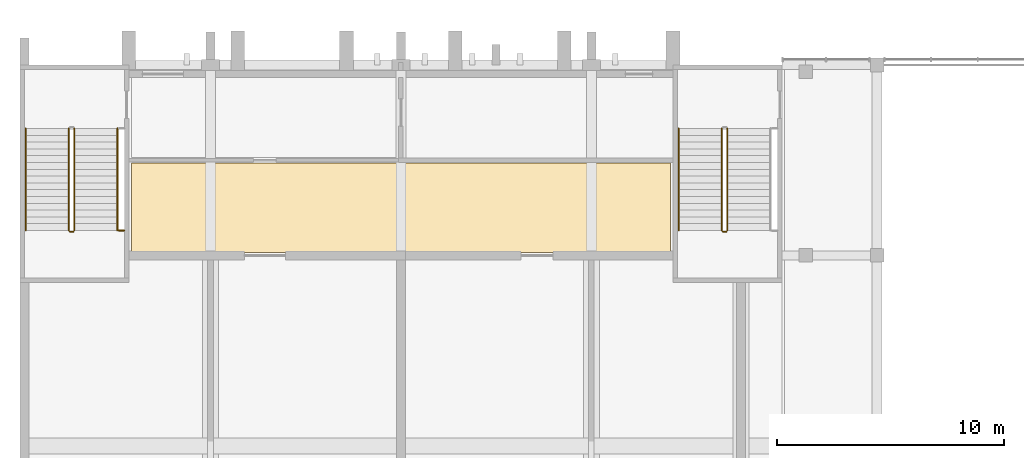
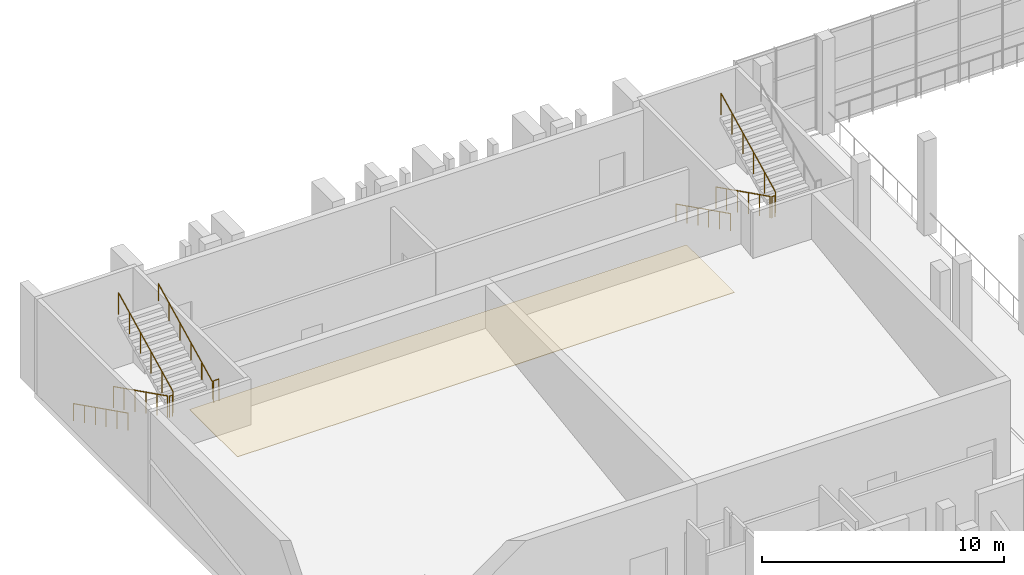
# One storey, part 73 of 86: 10 railings, 1 covering.
"""IFC4 building model written with IfcOpenShell, lengths in metres."""

import ifcopenshell
import ifcopenshell.guid

model = None  # the IFC model being written
_history = None  # IfcOwnerHistory: only IFC2X3 demands one
_inside = {}  # id of a spatial element -> (the spatial element, [elements in it])
_under = {}  # id of a project, library or spatial element -> (it, [spatial elements below it])
_declared = {}  # id of a project -> (the project, [libraries it declares])
_typed = {}  # id of a type object -> (the type object, [elements of that type])
_made_of = {}  # id of a material, layer set ... -> (it, [elements and type objects made of it])


def new_model(schema):
    """Start an empty IFC model of exactly this schema.

    Asked for "IFC4X3", IfcOpenShell would pick the latest addendum, in which some entities
    have other attributes; the version numbers below select the first issue.
    IFC2X3 requires an IfcOwnerHistory on every rooted entity: one is made here for all.
    """
    global model, _history
    if schema == "IFC4X3":
        model = ifcopenshell.file(schema_version=(4, 3, 0, 0))
    else:
        model = ifcopenshell.file(schema=schema)
    _inside.clear()
    _under.clear()
    _declared.clear()
    _typed.clear()
    _made_of.clear()
    _history = None
    if model.schema == "IFC2X3":
        org = make("IfcOrganization", Name="unknown")
        user = make(
            "IfcPersonAndOrganization",
            ThePerson=make("IfcPerson", FamilyName="unknown"),
            TheOrganization=org,
        )
        app = make(
            "IfcApplication",
            ApplicationDeveloper=org,
            Version="unknown",
            ApplicationFullName="unknown",
            ApplicationIdentifier="unknown",
        )
        _history = make(
            "IfcOwnerHistory",
            OwningUser=user,
            OwningApplication=app,
            ChangeAction="ADDED",
            CreationDate=0,
        )
    return model


def make(cls, **values):
    """One entity of the class cls with the attributes given. An attribute that is None is left unset."""
    return model.create_entity(
        cls, **{name: value for name, value in values.items() if value is not None}
    )


def rooted(cls, **values):
    """An entity with a GlobalId (a new one), such as an element, a storey or a relation."""
    return make(cls, GlobalId=ifcopenshell.guid.new(), OwnerHistory=_history, **values)


def si_unit(unit_type, name, prefix=None):
    """IfcSIUnit, for example si_unit("LENGTHUNIT", "METRE", prefix="MILLI")."""
    return make("IfcSIUnit", UnitType=unit_type, Prefix=prefix, Name=name)


def assignment(units):
    """IfcUnitAssignment: the units of a project."""
    return None if units is None else make("IfcUnitAssignment", Units=units)


def point(xyz):
    """IfcCartesianPoint."""
    return None if xyz is None else make("IfcCartesianPoint", Coordinates=xyz)


def direction(xyz):
    """IfcDirection."""
    return None if xyz is None else make("IfcDirection", DirectionRatios=xyz)


def frame(location, z_axis=None, x_axis=None):
    """IfcAxis2Placement3D, a coordinate frame: its origin and axes. An axis left out is left unset."""
    return make(
        "IfcAxis2Placement3D",
        Location=point(location),
        Axis=direction(z_axis),
        RefDirection=direction(x_axis),
    )


def frame_2d(location, x_axis=None):
    """IfcAxis2Placement2D, a coordinate frame in the plane: its origin and x axis."""
    return make(
        "IfcAxis2Placement2D", Location=point(location), RefDirection=direction(x_axis)
    )


def origin():
    """The frame at (0, 0, 0) with its axes left unset."""
    return frame((0.0, 0.0, 0.0))


def origin_2d():
    """The frame at (0, 0) in the plane with its x axis left unset."""
    return frame_2d((0.0, 0.0))


def place(relative_to, where):
    """IfcLocalPlacement: puts the frame where relative to a parent placement (None: the world)."""
    return make(
        "IfcLocalPlacement", PlacementRelTo=relative_to, RelativePlacement=where
    )


def context(
    kind, dimensions, precision=None, world=None, true_north=None, identifier=None
):
    """IfcGeometricRepresentationContext, for example the 3D "Model" context."""
    return make(
        "IfcGeometricRepresentationContext",
        ContextIdentifier=identifier,
        ContextType=kind,
        CoordinateSpaceDimension=dimensions,
        Precision=precision,
        WorldCoordinateSystem=world,
        TrueNorth=true_north,
    )


def subcontext(parent, identifier, kind, view, scale=None):
    """IfcGeometricRepresentationSubContext, for example "Body" below "Model"."""
    return make(
        "IfcGeometricRepresentationSubContext",
        ContextIdentifier=identifier,
        ContextType=kind,
        ParentContext=parent,
        TargetScale=scale,
        TargetView=view,
    )


def project(units=None, contexts=None):
    """IfcProject with its units and contexts."""
    return rooted(
        "IfcProject",
        Name="project",
        RepresentationContexts=contexts,
        UnitsInContext=assignment(units),
    )


def spatial(cls, under=None, at=None, **own):
    """A site, building, storey or space (cls), placed at a placement, below another one or the project."""
    s = rooted(cls, ObjectPlacement=at, **own)
    if under is not None:
        _under.setdefault(under.id(), (under, []))[1].append(s)
    return s


def polyline(points):
    """IfcPolyline through the points."""
    return make("IfcPolyline", Points=[point(p) for p in points])


def profile(cls, at=None, kind="AREA", **sizes):
    """A parametric profile (cls). Its sizes go by their IFC names, for example OverallWidth=200.0."""
    return make(cls, ProfileType=kind, Position=at, **sizes)


def circle(**sizes):
    """IfcCircleProfileDef."""
    return profile("IfcCircleProfileDef", **sizes)


def outline(outer, holes=None, kind="AREA"):
    """IfcArbitraryClosedProfileDef: a profile drawn as a closed curve; with holes, ...WithVoids."""
    if holes is None:
        return make("IfcArbitraryClosedProfileDef", ProfileType=kind, OuterCurve=outer)
    return make(
        "IfcArbitraryProfileDefWithVoids",
        ProfileType=kind,
        OuterCurve=outer,
        InnerCurves=holes,
    )


def extrude(swept, where, along, depth):
    """IfcExtrudedAreaSolid: the profile swept, set in the frame where, extruded along a direction by depth."""
    return make(
        "IfcExtrudedAreaSolid",
        SweptArea=swept,
        Position=where,
        ExtrudedDirection=direction(along),
        Depth=depth,
    )


def shape(context_of_items, identifier, shape_type, items):
    """IfcShapeRepresentation: the items that make up one representation, for example the "Body"."""
    return make(
        "IfcShapeRepresentation",
        ContextOfItems=context_of_items,
        RepresentationIdentifier=identifier,
        RepresentationType=shape_type,
        Items=items,
    )


def material(Name=None, Category=None):
    """IfcMaterial."""
    return make("IfcMaterial", Name=Name, Category=Category)


def layer(
    of_material, thickness, ventilated=None, Name=None, Category=None, Priority=None
):
    """IfcMaterialLayer: one layer of a wall or slab, of a material (None: an air gap)."""
    return make(
        "IfcMaterialLayer",
        Material=of_material,
        LayerThickness=thickness,
        IsVentilated=ventilated,
        Name=Name,
        Category=Category,
        Priority=Priority,
    )


def layer_set(layers, Name=None):
    """IfcMaterialLayerSet."""
    return make("IfcMaterialLayerSet", MaterialLayers=layers, LayerSetName=Name)


def made_of(thing, what):
    """Note that an element or type object is made of a material, layer set ...; save() writes the relation."""
    if what is not None:
        _made_of.setdefault(what.id(), (what, []))[1].append(thing)
    return thing


def type_object(cls, material=None, **own):
    """A type object (cls), such as IfcWallType, which elements share."""
    return made_of(rooted(cls, **own), material)


def element(
    cls,
    number,
    at=None,
    inside=None,
    cuts=None,
    type_object=None,
    material=None,
    context=None,
    identifier="Body",
    shape_type=None,
    held_by="IfcProductDefinitionShape",
    body=None,
    shapes=None,
    **own,
):
    """One element of the class cls, such as IfcWall. Its Tag is "e" and its number.

    at: its placement. inside: the storey or other place that contains it. cuts: it is an
    opening in that element (IfcRelVoidsElement). A single representation is given by context,
    identifier, shape_type and body (its items); several are given by shapes. held_by: the class
    of the entity that holds the representations. save() writes the other relations.
    """
    e = rooted(cls, Tag="e%d" % number, ObjectPlacement=at, **own)
    if body is not None:
        shapes = [shape(context, identifier, shape_type, body)]
    if shapes is not None:
        e.Representation = make(held_by, Representations=shapes)
    if inside is not None:
        _inside.setdefault(inside.id(), (inside, []))[1].append(e)
    if cuts is not None:
        rooted(
            "IfcRelVoidsElement", RelatingBuildingElement=cuts, RelatedOpeningElement=e
        )
    if type_object is not None:
        _typed.setdefault(type_object.id(), (type_object, []))[1].append(e)
    return made_of(e, material)


def aggregate(whole, parts):
    """IfcRelAggregates: a whole, such as a stair, and the parts it consists of."""
    return rooted("IfcRelAggregates", RelatingObject=whole, RelatedObjects=parts)


def save(model, path):
    """Write the relations noted so far, then the file.

    IfcRelAggregates (storeys below a building ...), IfcRelContainedInSpatialStructure (elements
    in a storey), IfcRelDefinesByType, IfcRelAssociatesMaterial and IfcRelDeclares: one each for
    every whole, place, type object, material and project.
    """
    for whole, parts in _under.values():
        aggregate(whole, parts)
    for where, things in _inside.values():
        rooted(
            "IfcRelContainedInSpatialStructure",
            RelatedElements=things,
            RelatingStructure=where,
        )
    for kind, things in _typed.values():
        rooted("IfcRelDefinesByType", RelatedObjects=things, RelatingType=kind)
    for what, things in _made_of.values():
        rooted("IfcRelAssociatesMaterial", RelatedObjects=things, RelatingMaterial=what)
    for by, libraries in _declared.values():
        rooted("IfcRelDeclares", RelatingContext=by, RelatedDefinitions=libraries)
    model.write(path)


model = new_model("IFC4")

# Units and contexts
model_context = context("Model", 3, precision=1e-05, world=origin(), true_north=direction((0.0, 1.0)))
body_context = subcontext(model_context, "Body", "Model", "MODEL_VIEW")
ifc_project = project(units=[si_unit("LENGTHUNIT", "METRE"), si_unit("AREAUNIT", "SQUARE_METRE"), si_unit("VOLUMEUNIT", "CUBIC_METRE"), si_unit("PLANEANGLEUNIT", "RADIAN"), si_unit("MASSUNIT", "GRAM", prefix="KILO")], contexts=[model_context])

# Site, building, storey
site_placement = place(None, origin())
site = spatial("IfcSite", under=ifc_project, at=site_placement, CompositionType="ELEMENT")
building_placement = place(site_placement, origin())
building = spatial("IfcBuilding", under=site, at=building_placement, Name="Kiln Court Media Centre", CompositionType="ELEMENT")
storey_placement = place(building_placement, frame((0.0, 0.0, 10.199951171875)))
storey = spatial("IfcBuildingStorey", under=building, at=storey_placement, Name="L02", CompositionType="ELEMENT", Elevation=10.199951171875)

# Covering
ifc_material_1 = material(Name="Terrazzo")
ifc_layer = layer(ifc_material_1, 0.02490234375)
ifc_layer_set = layer_set([ifc_layer], Name="Polished terrazzo floor finish 25")
covering_type = type_object("IfcCoveringType", Name="Polished terrazzo floor finish 25", PredefinedType="FLOORING", material=ifc_layer_set)
covering_placement = place(storey_placement, origin())
element("IfcCovering", 1, at=covering_placement, inside=storey, type_object=covering_type, Name="Rear Exit Lobby floor finish", PredefinedType="FLOORING", context=body_context, shape_type="SweptSolid", body=[
    extrude(outline(polyline([(4.919921875, 58.919921875), (28.679931640625, 58.919921875), (28.679931640625, 62.8798828125), (4.919921875, 62.8798828125), (4.919921875, 58.919921875)])), origin(), (0.0, 0.0, 1.0), 0.025146484375),
])

# Railings
ifc_material_2 = material(Name="Steel S275", Category="steel")
railing_type_1 = type_object("IfcRailingType", Name="Steel S275 stair guard 1100", PredefinedType="GUARDRAIL", material=ifc_material_2)
railing_1_placement = place(storey_placement, frame((2.14990234375, 64.39990234375, 0.150146484375)))
element("IfcRailing", 2, at=railing_1_placement, inside=storey, type_object=railing_type_1, Name="ST-07 stair guard", PredefinedType="GUARDRAIL", context=body_context, shape_type="SweptSolid", body=[
    extrude(circle(Radius=0.02392578125, at=origin_2d()), frame((0.0, 0.0, 1.076171875), z_axis=(0.0, -0.894427191, 0.4472135955), x_axis=(1.0, 0.0, 0.0)), (0.0, 0.0, 1.0), 5.03125),
    extrude(circle(Radius=0.02099609375, at=origin_2d()), origin(), (0.0, 0.0, 1.0), 1.052001953125),
    extrude(circle(Radius=0.02099609375, at=origin_2d()), frame((0.0, -0.89990234375, 0.449951171875)), (0.0, 0.0, 1.0), 1.052001953125),
    extrude(circle(Radius=0.02099609375, at=origin_2d()), frame((0.0, -1.800048828125, 0.89990234375)), (0.0, 0.0, 1.0), 1.052001953125),
    extrude(circle(Radius=0.02099609375, at=origin_2d()), frame((0.0, -2.699951171875, 1.35009765625)), (0.0, 0.0, 1.0), 1.052001953125),
    extrude(circle(Radius=0.02099609375, at=origin_2d()), frame((0.0, -3.60009765625, 1.800048828125)), (0.0, 0.0, 1.0), 1.052001953125),
    extrude(circle(Radius=0.02099609375, at=origin_2d()), frame((0.0, -4.5, 2.25)), (0.0, 0.0, 1.0), 1.052001953125),
])
railing_2_placement = place(storey_placement, frame((2.199951171875, 59.85009765625, 2.400146484375)))
element("IfcRailing", 3, at=railing_2_placement, inside=storey, type_object=railing_type_1, Name="ST-07 stair guard", PredefinedType="GUARDRAIL", context=body_context, shape_type="SweptSolid", body=[
    extrude(circle(Radius=0.02392578125, at=origin_2d()), frame((0.0, 0.0, 1.076171875), z_axis=(1.0, 0.0, 0.0), x_axis=(0.0, 1.0, 0.0)), (0.0, 0.0, 1.0), 0.150146484375),
    extrude(circle(Radius=0.02099609375, at=origin_2d()), origin(), (0.0, 0.0, 1.0), 1.052001953125),
    extrude(circle(Radius=0.02099609375, at=origin_2d()), frame((0.150146484375, 0.0, 0.0)), (0.0, 0.0, 1.0), 1.052001953125),
])
railing_3_placement = place(storey_placement, frame((2.39990234375, 59.89990234375, 2.550048828125)))
element("IfcRailing", 4, at=railing_3_placement, inside=storey, type_object=railing_type_1, Name="ST-07 stair guard", PredefinedType="GUARDRAIL", context=body_context, shape_type="SweptSolid", body=[
    extrude(circle(Radius=0.02392578125, at=origin_2d()), frame((0.0, 0.0, 1.076171875), z_axis=(0.0, 0.894427191, 0.4472135955), x_axis=(-1.0, 0.0, 0.0)), (0.0, 0.0, 1.0), 5.03125),
    extrude(circle(Radius=0.02099609375, at=origin_2d()), origin(), (0.0, 0.0, 1.0), 1.052001953125),
    extrude(circle(Radius=0.02099609375, at=origin_2d()), frame((0.0, 0.89990234375, 0.449951171875)), (0.0, 0.0, 1.0), 1.052001953125),
    extrude(circle(Radius=0.02099609375, at=origin_2d()), frame((0.0, 1.800048828125, 0.89990234375)), (0.0, 0.0, 1.0), 1.052001953125),
    extrude(circle(Radius=0.02099609375, at=origin_2d()), frame((0.0, 2.699951171875, 1.35009765625)), (0.0, 0.0, 1.0), 1.052001953125),
    extrude(circle(Radius=0.02099609375, at=origin_2d()), frame((0.0, 3.60009765625, 1.800048828125)), (0.0, 0.0, 1.0), 1.052001953125),
    extrude(circle(Radius=0.02099609375, at=origin_2d()), frame((0.0, 4.5, 2.25)), (0.0, 0.0, 1.0), 1.052001953125),
])
railing_4_placement = place(storey_placement, frame((4.35009765625, 59.89990234375, 2.400146484375)))
element("IfcRailing", 5, at=railing_4_placement, inside=storey, type_object=railing_type_1, Name="ST-07 landing edge guard", PredefinedType="GUARDRAIL", context=body_context, shape_type="SweptSolid", body=[
    extrude(circle(Radius=0.02392578125, at=origin_2d()), frame((0.0, 0.0, 1.076171875), z_axis=(1.0, 0.0, 0.0), x_axis=(0.0, 1.0, 0.0)), (0.0, 0.0, 1.0), 0.25),
    extrude(circle(Radius=0.02099609375, at=origin_2d()), origin(), (0.0, 0.0, 1.0), 1.052001953125),
    extrude(circle(Radius=0.02099609375, at=origin_2d()), frame((0.25, 0.0, 0.0)), (0.0, 0.0, 1.0), 1.052001953125),
])
railing_5_placement = place(storey_placement, frame((30.949951171875, 64.39990234375, 0.150146484375)))
element("IfcRailing", 6, at=railing_5_placement, inside=storey, type_object=railing_type_1, Name="ST-08 stair guard", PredefinedType="GUARDRAIL", context=body_context, shape_type="SweptSolid", body=[
    extrude(circle(Radius=0.02392578125, at=origin_2d()), frame((0.0, 0.0, 1.076171875), z_axis=(0.0, -0.894427191, 0.4472135955), x_axis=(1.0, 0.0, 0.0)), (0.0, 0.0, 1.0), 5.03125),
    extrude(circle(Radius=0.02099609375, at=origin_2d()), origin(), (0.0, 0.0, 1.0), 1.052001953125),
    extrude(circle(Radius=0.02099609375, at=origin_2d()), frame((0.0, -0.89990234375, 0.449951171875)), (0.0, 0.0, 1.0), 1.052001953125),
    extrude(circle(Radius=0.02099609375, at=origin_2d()), frame((0.0, -1.800048828125, 0.89990234375)), (0.0, 0.0, 1.0), 1.052001953125),
    extrude(circle(Radius=0.02099609375, at=origin_2d()), frame((0.0, -2.699951171875, 1.35009765625)), (0.0, 0.0, 1.0), 1.052001953125),
    extrude(circle(Radius=0.02099609375, at=origin_2d()), frame((0.0, -3.60009765625, 1.800048828125)), (0.0, 0.0, 1.0), 1.052001953125),
    extrude(circle(Radius=0.02099609375, at=origin_2d()), frame((0.0, -4.5, 2.25)), (0.0, 0.0, 1.0), 1.052001953125),
])
railing_6_placement = place(storey_placement, frame((31.0, 59.85009765625, 2.400146484375)))
element("IfcRailing", 7, at=railing_6_placement, inside=storey, type_object=railing_type_1, Name="ST-08 stair guard", PredefinedType="GUARDRAIL", context=body_context, shape_type="SweptSolid", body=[
    extrude(circle(Radius=0.02392578125, at=origin_2d()), frame((0.0, 0.0, 1.076171875), z_axis=(1.0, 0.0, 0.0), x_axis=(0.0, 1.0, 0.0)), (0.0, 0.0, 1.0), 0.14990234375),
    extrude(circle(Radius=0.02099609375, at=origin_2d()), origin(), (0.0, 0.0, 1.0), 1.052001953125),
    extrude(circle(Radius=0.02099609375, at=origin_2d()), frame((0.14990234375, 0.0, 0.0)), (0.0, 0.0, 1.0), 1.052001953125),
])
railing_7_placement = place(storey_placement, frame((31.199951171875, 59.89990234375, 2.550048828125)))
element("IfcRailing", 8, at=railing_7_placement, inside=storey, type_object=railing_type_1, Name="ST-08 stair guard", PredefinedType="GUARDRAIL", context=body_context, shape_type="SweptSolid", body=[
    extrude(circle(Radius=0.02392578125, at=origin_2d()), frame((0.0, 0.0, 1.076171875), z_axis=(0.0, 0.894427191, 0.4472135955), x_axis=(-1.0, 0.0, 0.0)), (0.0, 0.0, 1.0), 5.03125),
    extrude(circle(Radius=0.02099609375, at=origin_2d()), origin(), (0.0, 0.0, 1.0), 1.052001953125),
    extrude(circle(Radius=0.02099609375, at=origin_2d()), frame((0.0, 0.89990234375, 0.449951171875)), (0.0, 0.0, 1.0), 1.052001953125),
    extrude(circle(Radius=0.02099609375, at=origin_2d()), frame((0.0, 1.800048828125, 0.89990234375)), (0.0, 0.0, 1.0), 1.052001953125),
    extrude(circle(Radius=0.02099609375, at=origin_2d()), frame((0.0, 2.699951171875, 1.35009765625)), (0.0, 0.0, 1.0), 1.052001953125),
    extrude(circle(Radius=0.02099609375, at=origin_2d()), frame((0.0, 3.60009765625, 1.800048828125)), (0.0, 0.0, 1.0), 1.052001953125),
    extrude(circle(Radius=0.02099609375, at=origin_2d()), frame((0.0, 4.5, 2.25)), (0.0, 0.0, 1.0), 1.052001953125),
])
ifc_material_3 = material(Name="Steel S275", Category="steel")
railing_type_2 = type_object("IfcRailingType", Name="Steel S275 stair handrail 900", PredefinedType="HANDRAIL", material=ifc_material_3)
railing_8_placement = place(storey_placement, frame((0.25, 64.39990234375, 0.150146484375)))
element("IfcRailing", 9, at=railing_8_placement, inside=storey, type_object=railing_type_2, Name="ST-07 stair handrail", PredefinedType="HANDRAIL", context=body_context, shape_type="SweptSolid", body=[
    extrude(circle(Radius=0.02392578125, at=origin_2d()), frame((0.0, 0.0, 0.8759765625), z_axis=(0.0, -0.894427191, 0.4472135955), x_axis=(1.0, 0.0, 0.0)), (0.0, 0.0, 1.0), 5.03125),
    extrude(circle(Radius=0.02099609375, at=origin_2d()), origin(), (0.0, 0.0, 1.0), 0.851806640625),
    extrude(circle(Radius=0.02099609375, at=origin_2d()), frame((0.0, -0.89990234375, 0.449951171875)), (0.0, 0.0, 1.0), 0.851806640625),
    extrude(circle(Radius=0.02099609375, at=origin_2d()), frame((0.0, -1.800048828125, 0.89990234375)), (0.0, 0.0, 1.0), 0.851806640625),
    extrude(circle(Radius=0.02099609375, at=origin_2d()), frame((0.0, -2.699951171875, 1.35009765625)), (0.0, 0.0, 1.0), 0.851806640625),
    extrude(circle(Radius=0.02099609375, at=origin_2d()), frame((0.0, -3.60009765625, 1.800048828125)), (0.0, 0.0, 1.0), 0.851806640625),
    extrude(circle(Radius=0.02099609375, at=origin_2d()), frame((0.0, -4.5, 2.25)), (0.0, 0.0, 1.0), 0.851806640625),
])
railing_9_placement = place(storey_placement, frame((4.300048828125, 59.89990234375, 2.550048828125)))
element("IfcRailing", 10, at=railing_9_placement, inside=storey, type_object=railing_type_2, Name="ST-07 stair handrail", PredefinedType="HANDRAIL", context=body_context, shape_type="SweptSolid", body=[
    extrude(circle(Radius=0.02392578125, at=origin_2d()), frame((0.0, 0.0, 0.8759765625), z_axis=(0.0, 0.894427191, 0.4472135955), x_axis=(-1.0, 0.0, 0.0)), (0.0, 0.0, 1.0), 5.03125),
    extrude(circle(Radius=0.02099609375, at=origin_2d()), origin(), (0.0, 0.0, 1.0), 0.851806640625),
    extrude(circle(Radius=0.02099609375, at=origin_2d()), frame((0.0, 0.89990234375, 0.449951171875)), (0.0, 0.0, 1.0), 0.851806640625),
    extrude(circle(Radius=0.02099609375, at=origin_2d()), frame((0.0, 1.800048828125, 0.89990234375)), (0.0, 0.0, 1.0), 0.851806640625),
    extrude(circle(Radius=0.02099609375, at=origin_2d()), frame((0.0, 2.699951171875, 1.35009765625)), (0.0, 0.0, 1.0), 0.851806640625),
    extrude(circle(Radius=0.02099609375, at=origin_2d()), frame((0.0, 3.60009765625, 1.800048828125)), (0.0, 0.0, 1.0), 0.851806640625),
    extrude(circle(Radius=0.02099609375, at=origin_2d()), frame((0.0, 4.5, 2.25)), (0.0, 0.0, 1.0), 0.851806640625),
])
railing_10_placement = place(storey_placement, frame((29.050048828125, 64.39990234375, 0.150146484375)))
element("IfcRailing", 11, at=railing_10_placement, inside=storey, type_object=railing_type_2, Name="ST-08 stair handrail", PredefinedType="HANDRAIL", context=body_context, shape_type="SweptSolid", body=[
    extrude(circle(Radius=0.02392578125, at=origin_2d()), frame((0.0, 0.0, 0.8759765625), z_axis=(0.0, -0.894427191, 0.4472135955), x_axis=(1.0, 0.0, 0.0)), (0.0, 0.0, 1.0), 5.03125),
    extrude(circle(Radius=0.02099609375, at=origin_2d()), origin(), (0.0, 0.0, 1.0), 0.851806640625),
    extrude(circle(Radius=0.02099609375, at=origin_2d()), frame((0.0, -0.89990234375, 0.449951171875)), (0.0, 0.0, 1.0), 0.851806640625),
    extrude(circle(Radius=0.02099609375, at=origin_2d()), frame((0.0, -1.800048828125, 0.89990234375)), (0.0, 0.0, 1.0), 0.851806640625),
    extrude(circle(Radius=0.02099609375, at=origin_2d()), frame((0.0, -2.699951171875, 1.35009765625)), (0.0, 0.0, 1.0), 0.851806640625),
    extrude(circle(Radius=0.02099609375, at=origin_2d()), frame((0.0, -3.60009765625, 1.800048828125)), (0.0, 0.0, 1.0), 0.851806640625),
    extrude(circle(Radius=0.02099609375, at=origin_2d()), frame((0.0, -4.5, 2.25)), (0.0, 0.0, 1.0), 0.851806640625),
])

save(model, "model.ifc")
